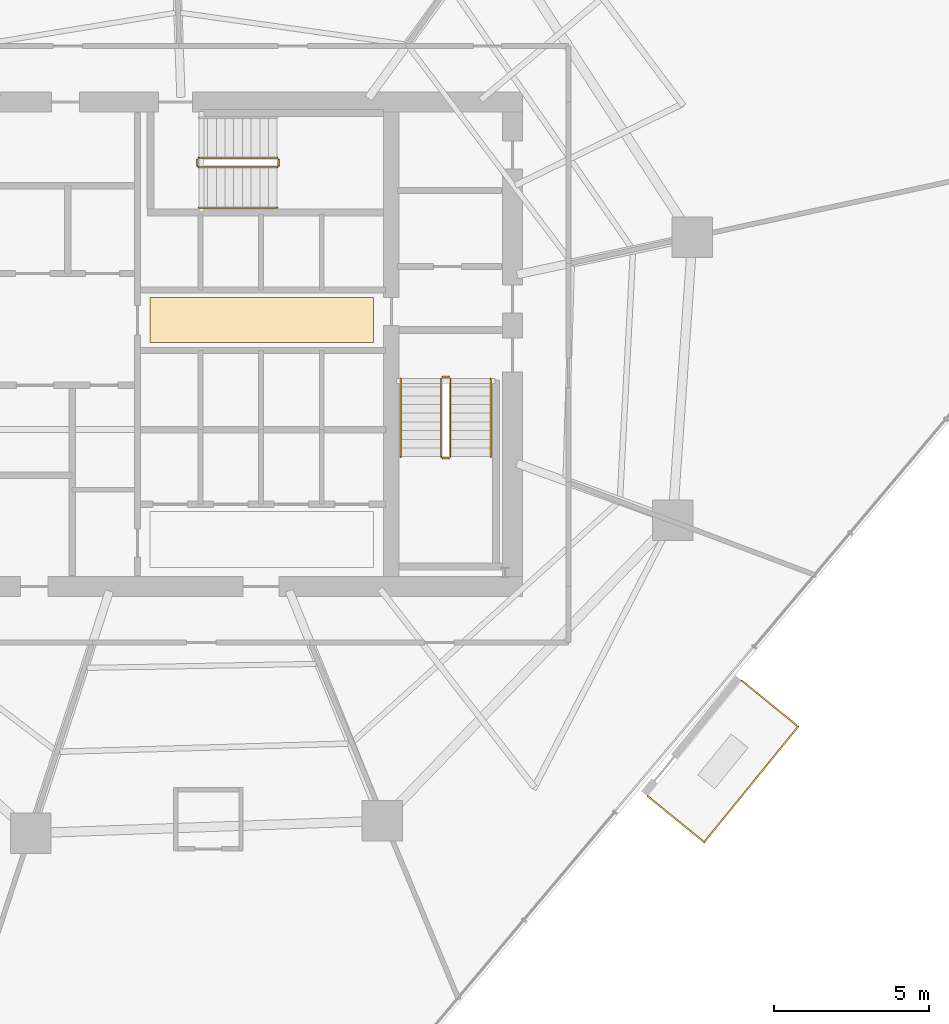
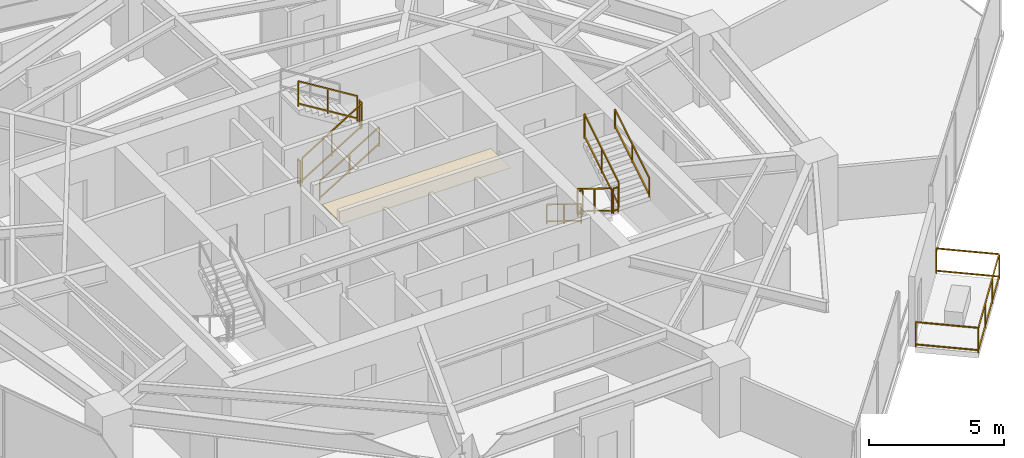
# One storey, part 30 of 31: 12 railings, 1 covering.
"""IFC4 building model written with IfcOpenShell, lengths in metres."""

import ifcopenshell
import ifcopenshell.guid

model = None  # the IFC model being written
_history = None  # IfcOwnerHistory: only IFC2X3 demands one
_inside = {}  # id of a spatial element -> (the spatial element, [elements in it])
_under = {}  # id of a project, library or spatial element -> (it, [spatial elements below it])
_declared = {}  # id of a project -> (the project, [libraries it declares])
_typed = {}  # id of a type object -> (the type object, [elements of that type])
_made_of = {}  # id of a material, layer set ... -> (it, [elements and type objects made of it])


def new_model(schema):
    """Start an empty IFC model of exactly this schema.

    Asked for "IFC4X3", IfcOpenShell would pick the latest addendum, in which some entities
    have other attributes; the version numbers below select the first issue.
    IFC2X3 requires an IfcOwnerHistory on every rooted entity: one is made here for all.
    """
    global model, _history
    if schema == "IFC4X3":
        model = ifcopenshell.file(schema_version=(4, 3, 0, 0))
    else:
        model = ifcopenshell.file(schema=schema)
    _inside.clear()
    _under.clear()
    _declared.clear()
    _typed.clear()
    _made_of.clear()
    _history = None
    if model.schema == "IFC2X3":
        org = make("IfcOrganization", Name="unknown")
        user = make(
            "IfcPersonAndOrganization",
            ThePerson=make("IfcPerson", FamilyName="unknown"),
            TheOrganization=org,
        )
        app = make(
            "IfcApplication",
            ApplicationDeveloper=org,
            Version="unknown",
            ApplicationFullName="unknown",
            ApplicationIdentifier="unknown",
        )
        _history = make(
            "IfcOwnerHistory",
            OwningUser=user,
            OwningApplication=app,
            ChangeAction="ADDED",
            CreationDate=0,
        )
    return model


def make(cls, **values):
    """One entity of the class cls with the attributes given. An attribute that is None is left unset."""
    return model.create_entity(
        cls, **{name: value for name, value in values.items() if value is not None}
    )


def rooted(cls, **values):
    """An entity with a GlobalId (a new one), such as an element, a storey or a relation."""
    return make(cls, GlobalId=ifcopenshell.guid.new(), OwnerHistory=_history, **values)


def si_unit(unit_type, name, prefix=None):
    """IfcSIUnit, for example si_unit("LENGTHUNIT", "METRE", prefix="MILLI")."""
    return make("IfcSIUnit", UnitType=unit_type, Prefix=prefix, Name=name)


def assignment(units):
    """IfcUnitAssignment: the units of a project."""
    return None if units is None else make("IfcUnitAssignment", Units=units)


def point(xyz):
    """IfcCartesianPoint."""
    return None if xyz is None else make("IfcCartesianPoint", Coordinates=xyz)


def direction(xyz):
    """IfcDirection."""
    return None if xyz is None else make("IfcDirection", DirectionRatios=xyz)


def frame(location, z_axis=None, x_axis=None):
    """IfcAxis2Placement3D, a coordinate frame: its origin and axes. An axis left out is left unset."""
    return make(
        "IfcAxis2Placement3D",
        Location=point(location),
        Axis=direction(z_axis),
        RefDirection=direction(x_axis),
    )


def frame_2d(location, x_axis=None):
    """IfcAxis2Placement2D, a coordinate frame in the plane: its origin and x axis."""
    return make(
        "IfcAxis2Placement2D", Location=point(location), RefDirection=direction(x_axis)
    )


def origin():
    """The frame at (0, 0, 0) with its axes left unset."""
    return frame((0.0, 0.0, 0.0))


def origin_2d():
    """The frame at (0, 0) in the plane with its x axis left unset."""
    return frame_2d((0.0, 0.0))


def place(relative_to, where):
    """IfcLocalPlacement: puts the frame where relative to a parent placement (None: the world)."""
    return make(
        "IfcLocalPlacement", PlacementRelTo=relative_to, RelativePlacement=where
    )


def context(
    kind, dimensions, precision=None, world=None, true_north=None, identifier=None
):
    """IfcGeometricRepresentationContext, for example the 3D "Model" context."""
    return make(
        "IfcGeometricRepresentationContext",
        ContextIdentifier=identifier,
        ContextType=kind,
        CoordinateSpaceDimension=dimensions,
        Precision=precision,
        WorldCoordinateSystem=world,
        TrueNorth=true_north,
    )


def subcontext(parent, identifier, kind, view, scale=None):
    """IfcGeometricRepresentationSubContext, for example "Body" below "Model"."""
    return make(
        "IfcGeometricRepresentationSubContext",
        ContextIdentifier=identifier,
        ContextType=kind,
        ParentContext=parent,
        TargetScale=scale,
        TargetView=view,
    )


def project(units=None, contexts=None):
    """IfcProject with its units and contexts."""
    return rooted(
        "IfcProject",
        Name="project",
        RepresentationContexts=contexts,
        UnitsInContext=assignment(units),
    )


def spatial(cls, under=None, at=None, **own):
    """A site, building, storey or space (cls), placed at a placement, below another one or the project."""
    s = rooted(cls, ObjectPlacement=at, **own)
    if under is not None:
        _under.setdefault(under.id(), (under, []))[1].append(s)
    return s


def profile(cls, at=None, kind="AREA", **sizes):
    """A parametric profile (cls). Its sizes go by their IFC names, for example OverallWidth=200.0."""
    return make(cls, ProfileType=kind, Position=at, **sizes)


def rectangle(**sizes):
    """IfcRectangleProfileDef."""
    return profile("IfcRectangleProfileDef", **sizes)


def extrude(swept, where, along, depth):
    """IfcExtrudedAreaSolid: the profile swept, set in the frame where, extruded along a direction by depth."""
    return make(
        "IfcExtrudedAreaSolid",
        SweptArea=swept,
        Position=where,
        ExtrudedDirection=direction(along),
        Depth=depth,
    )


def shape(context_of_items, identifier, shape_type, items):
    """IfcShapeRepresentation: the items that make up one representation, for example the "Body"."""
    return make(
        "IfcShapeRepresentation",
        ContextOfItems=context_of_items,
        RepresentationIdentifier=identifier,
        RepresentationType=shape_type,
        Items=items,
    )


def material(Name=None, Category=None):
    """IfcMaterial."""
    return make("IfcMaterial", Name=Name, Category=Category)


def layer(
    of_material, thickness, ventilated=None, Name=None, Category=None, Priority=None
):
    """IfcMaterialLayer: one layer of a wall or slab, of a material (None: an air gap)."""
    return make(
        "IfcMaterialLayer",
        Material=of_material,
        LayerThickness=thickness,
        IsVentilated=ventilated,
        Name=Name,
        Category=Category,
        Priority=Priority,
    )


def layer_set(layers, Name=None):
    """IfcMaterialLayerSet."""
    return make("IfcMaterialLayerSet", MaterialLayers=layers, LayerSetName=Name)


def made_of(thing, what):
    """Note that an element or type object is made of a material, layer set ...; save() writes the relation."""
    if what is not None:
        _made_of.setdefault(what.id(), (what, []))[1].append(thing)
    return thing


def type_object(cls, material=None, **own):
    """A type object (cls), such as IfcWallType, which elements share."""
    return made_of(rooted(cls, **own), material)


def element(
    cls,
    number,
    at=None,
    inside=None,
    cuts=None,
    type_object=None,
    material=None,
    context=None,
    identifier="Body",
    shape_type=None,
    held_by="IfcProductDefinitionShape",
    body=None,
    shapes=None,
    **own,
):
    """One element of the class cls, such as IfcWall. Its Tag is "e" and its number.

    at: its placement. inside: the storey or other place that contains it. cuts: it is an
    opening in that element (IfcRelVoidsElement). A single representation is given by context,
    identifier, shape_type and body (its items); several are given by shapes. held_by: the class
    of the entity that holds the representations. save() writes the other relations.
    """
    e = rooted(cls, Tag="e%d" % number, ObjectPlacement=at, **own)
    if body is not None:
        shapes = [shape(context, identifier, shape_type, body)]
    if shapes is not None:
        e.Representation = make(held_by, Representations=shapes)
    if inside is not None:
        _inside.setdefault(inside.id(), (inside, []))[1].append(e)
    if cuts is not None:
        rooted(
            "IfcRelVoidsElement", RelatingBuildingElement=cuts, RelatedOpeningElement=e
        )
    if type_object is not None:
        _typed.setdefault(type_object.id(), (type_object, []))[1].append(e)
    return made_of(e, material)


def aggregate(whole, parts):
    """IfcRelAggregates: a whole, such as a stair, and the parts it consists of."""
    return rooted("IfcRelAggregates", RelatingObject=whole, RelatedObjects=parts)


def save(model, path):
    """Write the relations noted so far, then the file.

    IfcRelAggregates (storeys below a building ...), IfcRelContainedInSpatialStructure (elements
    in a storey), IfcRelDefinesByType, IfcRelAssociatesMaterial and IfcRelDeclares: one each for
    every whole, place, type object, material and project.
    """
    for whole, parts in _under.values():
        aggregate(whole, parts)
    for where, things in _inside.values():
        rooted(
            "IfcRelContainedInSpatialStructure",
            RelatedElements=things,
            RelatingStructure=where,
        )
    for kind, things in _typed.values():
        rooted("IfcRelDefinesByType", RelatedObjects=things, RelatingType=kind)
    for what, things in _made_of.values():
        rooted("IfcRelAssociatesMaterial", RelatedObjects=things, RelatingMaterial=what)
    for by, libraries in _declared.values():
        rooted("IfcRelDeclares", RelatingContext=by, RelatedDefinitions=libraries)
    model.write(path)


model = new_model("IFC4")

# Units and contexts
model_context = context("Model", 3, precision=1e-05, world=origin(), true_north=direction((0.0, 1.0)))
body_context = subcontext(model_context, "Body", "Model", "MODEL_VIEW")
ifc_project = project(units=[si_unit("LENGTHUNIT", "METRE"), si_unit("AREAUNIT", "SQUARE_METRE"), si_unit("VOLUMEUNIT", "CUBIC_METRE"), si_unit("PLANEANGLEUNIT", "RADIAN"), si_unit("MASSUNIT", "GRAM", prefix="KILO")], contexts=[model_context])

# Site, building, storey
site_placement = place(None, origin())
site = spatial("IfcSite", under=ifc_project, at=site_placement, CompositionType="ELEMENT")
building_placement = place(site_placement, origin())
building = spatial("IfcBuilding", under=site, at=building_placement, Name="Qarnah Convention Tower", CompositionType="ELEMENT")
storey_placement = place(building_placement, frame((0.0, 0.0, 33.89990234375)))
storey = spatial("IfcBuildingStorey", under=building, at=storey_placement, Name="L07", CompositionType="ELEMENT", Elevation=33.89990234375)

# Covering
ifc_material_1 = material(Name="Mineral fibre acoustic ceiling")
ifc_layer = layer(ifc_material_1, 0.02001953125)
ifc_layer_set = layer_set([ifc_layer], Name="Mineral fibre acoustic ceiling")
covering_type = type_object("IfcCoveringType", Name="COV-CEIL-20", PredefinedType="CEILING", material=ifc_layer_set)
covering_placement = place(storey_placement, frame((39.52001953125, 27.179931640625, 2.2900390625), z_axis=(0.0, 0.0, 1.0), x_axis=(1.0, 0.0, 0.0)))
element("IfcCovering", 1, at=covering_placement, inside=storey, type_object=covering_type, Name="L07 lift lobby acoustic ceiling", PredefinedType="CEILING", context=body_context, shape_type="SweptSolid", body=[
    extrude(rectangle(XDim=7.199951171875, YDim=1.449951171875, at=origin_2d()), origin(), (0.0, 0.0, 1.0), 0.02001953125),
])

# Railings
ifc_material_2 = material(Name="Black anodised aluminium", Category="aluminium")
railing_type_1 = type_object("IfcRailingType", Name="RL-EXT-GUARD-1150", PredefinedType="GUARDRAIL", material=ifc_material_2)
railing_1_placement = place(storey_placement, frame((54.97412109375, 15.575927734375, 0.0)))
element("IfcRailing", 2, at=railing_1_placement, inside=storey, type_object=railing_type_1, Name="L07 balcony safety guard VN-L07", PredefinedType="GUARDRAIL", context=body_context, shape_type="SweptSolid", body=[
    extrude(rectangle(XDim=0.048095703125, YDim=0.048095703125, at=origin_2d()), frame((0.0, 0.0, 1.1259765625), z_axis=(0.775754777775, -0.631034487773, 0.0), x_axis=(0.631034487773, 0.775754777775, 0.0)), (0.0, 0.0, 1.0), 2.349853515625),
    extrude(rectangle(XDim=0.048095703125, YDim=0.048095703125, at=origin_2d()), frame((0.0, 0.0, 0.1201171875), z_axis=(0.775754777775, -0.631034487773, 0.0), x_axis=(0.631034487773, 0.775754777775, 0.0)), (0.0, 0.0, 1.0), 2.349853515625),
    extrude(rectangle(XDim=0.048095703125, YDim=0.048095703125, at=origin_2d()), frame((1.822998046875, -1.48291015625, 1.1259765625), z_axis=(-0.630994617462, -0.775787208411, 0.0), x_axis=(0.775787208411, -0.630994617462, 0.0)), (0.0, 0.0, 1.0), 4.800537109375),
    extrude(rectangle(XDim=0.048095703125, YDim=0.048095703125, at=origin_2d()), frame((1.822998046875, -1.48291015625, 0.1201171875), z_axis=(-0.630994617462, -0.775787208411, 0.0), x_axis=(0.775787208411, -0.630994617462, 0.0)), (0.0, 0.0, 1.0), 4.800537109375),
    extrude(rectangle(XDim=0.048095703125, YDim=0.048095703125, at=origin_2d()), frame((-1.2060546875, -5.20703125, 1.1259765625), z_axis=(-0.77570392099, 0.631097002814, 0.0), x_axis=(-0.631097002814, -0.77570392099, 0.0)), (0.0, 0.0, 1.0), 2.35009765625),
    extrude(rectangle(XDim=0.048095703125, YDim=0.048095703125, at=origin_2d()), frame((-1.2060546875, -5.20703125, 0.1201171875), z_axis=(-0.77570392099, 0.631097002814, 0.0), x_axis=(-0.631097002814, -0.77570392099, 0.0)), (0.0, 0.0, 1.0), 2.35009765625),
    extrude(rectangle(XDim=0.0419921875, YDim=0.0419921875, at=origin_2d()), origin(), (0.0, 0.0, 1.0), 1.101806640625),
    extrude(rectangle(XDim=0.0419921875, YDim=0.0419921875, at=origin_2d()), frame((1.822998046875, -1.48291015625, 0.0)), (0.0, 0.0, 1.0), 1.101806640625),
    extrude(rectangle(XDim=0.0419921875, YDim=0.0419921875, at=origin_2d()), frame((0.813232421875, -2.724365234375, 0.0)), (0.0, 0.0, 1.0), 1.101806640625),
    extrude(rectangle(XDim=0.0419921875, YDim=0.0419921875, at=origin_2d()), frame((-0.1962890625, -3.965576171875, 0.0)), (0.0, 0.0, 1.0), 1.101806640625),
    extrude(rectangle(XDim=0.0419921875, YDim=0.0419921875, at=origin_2d()), frame((-1.2060546875, -5.20703125, 0.0)), (0.0, 0.0, 1.0), 1.101806640625),
    extrude(rectangle(XDim=0.0419921875, YDim=0.0419921875, at=origin_2d()), frame((-3.029052734375, -3.723876953125, 0.0)), (0.0, 0.0, 1.0), 1.101806640625),
])
ifc_material_3 = material(Name="Structural steel S355JR", Category="steel")
railing_type_2 = type_object("IfcRailingType", Name="RL-STAIR-GUARD-1150", PredefinedType="GUARDRAIL", material=ifc_material_3)
railing_2_placement = place(storey_placement, frame((45.300048828125, 25.300048828125, 0.172607421875)))
element("IfcRailing", 3, at=railing_2_placement, inside=storey, type_object=railing_type_2, Name="L07 ST-2 stair guard 1", PredefinedType="GUARDRAIL", context=body_context, shape_type="SweptSolid", body=[
    extrude(rectangle(XDim=0.048095703125, YDim=0.048095703125, at=origin_2d()), frame((0.0, 0.0, 1.1259765625), z_axis=(0.0, -0.851400495292, 0.524516154772), x_axis=(1.0, 0.0, 0.0)), (0.0, 0.0, 1.0), 2.9599609375),
    extrude(rectangle(XDim=0.048095703125, YDim=0.048095703125, at=origin_2d()), frame((0.0, 0.0, 0.1201171875), z_axis=(0.0, -0.851400495292, 0.524516154772), x_axis=(1.0, 0.0, 0.0)), (0.0, 0.0, 1.0), 2.9599609375),
    extrude(rectangle(XDim=0.0419921875, YDim=0.0419921875, at=origin_2d()), origin(), (0.0, 0.0, 1.0), 1.101806640625),
    extrude(rectangle(XDim=0.0419921875, YDim=0.0419921875, at=origin_2d()), frame((0.0, -1.260009765625, 0.7763671875)), (0.0, 0.0, 1.0), 1.101806640625),
    extrude(rectangle(XDim=0.0419921875, YDim=0.0419921875, at=origin_2d()), frame((0.0, -2.52001953125, 1.552490234375)), (0.0, 0.0, 1.0), 1.101806640625),
])
railing_3_placement = place(storey_placement, frame((45.35009765625, 22.72998046875, 1.72509765625)))
element("IfcRailing", 4, at=railing_3_placement, inside=storey, type_object=railing_type_2, Name="L07 ST-2 stair guard 2", PredefinedType="GUARDRAIL", context=body_context, shape_type="SweptSolid", body=[
    extrude(rectangle(XDim=0.048095703125, YDim=0.048095703125, at=origin_2d()), frame((0.0, 0.0, 1.1259765625), z_axis=(1.0, 0.0, 0.0), x_axis=(0.0, 1.0, 0.0)), (0.0, 0.0, 1.0), 0.199951171875),
    extrude(rectangle(XDim=0.048095703125, YDim=0.048095703125, at=origin_2d()), frame((0.0, 0.0, 0.1201171875), z_axis=(1.0, 0.0, 0.0), x_axis=(0.0, 1.0, 0.0)), (0.0, 0.0, 1.0), 0.199951171875),
    extrude(rectangle(XDim=0.0419921875, YDim=0.0419921875, at=origin_2d()), origin(), (0.0, 0.0, 1.0), 1.101806640625),
    extrude(rectangle(XDim=0.0419921875, YDim=0.0419921875, at=origin_2d()), frame((0.199951171875, 0.0, 0.0)), (0.0, 0.0, 1.0), 1.101806640625),
])
railing_4_placement = place(storey_placement, frame((45.60009765625, 22.780029296875, 1.897705078125)))
element("IfcRailing", 5, at=railing_4_placement, inside=storey, type_object=railing_type_2, Name="L07 ST-2 stair guard 3", PredefinedType="GUARDRAIL", context=body_context, shape_type="SweptSolid", body=[
    extrude(rectangle(XDim=0.048095703125, YDim=0.048095703125, at=origin_2d()), frame((0.0, 0.0, 1.1259765625), z_axis=(0.0, 0.851400495292, 0.524516154772), x_axis=(-1.0, 0.0, 0.0)), (0.0, 0.0, 1.0), 2.9599609375),
    extrude(rectangle(XDim=0.048095703125, YDim=0.048095703125, at=origin_2d()), frame((0.0, 0.0, 0.1201171875), z_axis=(0.0, 0.851400495292, 0.524516154772), x_axis=(-1.0, 0.0, 0.0)), (0.0, 0.0, 1.0), 2.9599609375),
    extrude(rectangle(XDim=0.0419921875, YDim=0.0419921875, at=origin_2d()), origin(), (0.0, 0.0, 1.0), 1.101806640625),
    extrude(rectangle(XDim=0.0419921875, YDim=0.0419921875, at=origin_2d()), frame((0.0, 1.260009765625, 0.7763671875)), (0.0, 0.0, 1.0), 1.101806640625),
    extrude(rectangle(XDim=0.0419921875, YDim=0.0419921875, at=origin_2d()), frame((0.0, 2.52001953125, 1.552490234375)), (0.0, 0.0, 1.0), 1.101806640625),
])
railing_5_placement = place(storey_placement, frame((45.35009765625, 25.35009765625, 0.0)))
element("IfcRailing", 6, at=railing_5_placement, inside=storey, type_object=railing_type_2, Name="L07 ST-2 stair guard 4", PredefinedType="GUARDRAIL", context=body_context, shape_type="SweptSolid", body=[
    extrude(rectangle(XDim=0.048095703125, YDim=0.048095703125, at=origin_2d()), frame((0.0, 0.0, 1.1259765625), z_axis=(1.0, 0.0, 0.0), x_axis=(0.0, 1.0, 0.0)), (0.0, 0.0, 1.0), 0.199951171875),
    extrude(rectangle(XDim=0.048095703125, YDim=0.048095703125, at=origin_2d()), frame((0.0, 0.0, 0.1201171875), z_axis=(1.0, 0.0, 0.0), x_axis=(0.0, 1.0, 0.0)), (0.0, 0.0, 1.0), 0.199951171875),
    extrude(rectangle(XDim=0.0419921875, YDim=0.0419921875, at=origin_2d()), origin(), (0.0, 0.0, 1.0), 1.101806640625),
    extrude(rectangle(XDim=0.0419921875, YDim=0.0419921875, at=origin_2d()), frame((0.199951171875, 0.0, 0.0)), (0.0, 0.0, 1.0), 1.101806640625),
])
railing_6_placement = place(storey_placement, frame((37.5, 32.10009765625, 0.172607421875)))
element("IfcRailing", 7, at=railing_6_placement, inside=storey, type_object=railing_type_2, Name="L07 ST-3 stair guard 1", PredefinedType="GUARDRAIL", context=body_context, shape_type="SweptSolid", body=[
    extrude(rectangle(XDim=0.048095703125, YDim=0.048095703125, at=origin_2d()), frame((0.0, 0.0, 1.1259765625), z_axis=(0.851400495292, 0.0, 0.524516154772), x_axis=(0.0, 1.0, 0.0)), (0.0, 0.0, 1.0), 2.9599609375),
    extrude(rectangle(XDim=0.048095703125, YDim=0.048095703125, at=origin_2d()), frame((0.0, 0.0, 0.1201171875), z_axis=(0.851400495292, 0.0, 0.524516154772), x_axis=(0.0, 1.0, 0.0)), (0.0, 0.0, 1.0), 2.9599609375),
    extrude(rectangle(XDim=0.0419921875, YDim=0.0419921875, at=origin_2d()), origin(), (0.0, 0.0, 1.0), 1.101806640625),
    extrude(rectangle(XDim=0.0419921875, YDim=0.0419921875, at=origin_2d()), frame((1.260009765625, 0.0, 0.7763671875)), (0.0, 0.0, 1.0), 1.101806640625),
    extrude(rectangle(XDim=0.0419921875, YDim=0.0419921875, at=origin_2d()), frame((2.52001953125, 0.0, 1.552490234375)), (0.0, 0.0, 1.0), 1.101806640625),
])
railing_7_placement = place(storey_placement, frame((40.070068359375, 32.14990234375, 1.72509765625)))
element("IfcRailing", 8, at=railing_7_placement, inside=storey, type_object=railing_type_2, Name="L07 ST-3 stair guard 2", PredefinedType="GUARDRAIL", context=body_context, shape_type="SweptSolid", body=[
    extrude(rectangle(XDim=0.048095703125, YDim=0.048095703125, at=origin_2d()), frame((0.0, 0.0, 1.1259765625), z_axis=(0.0, 1.0, 0.0), x_axis=(-1.0, 0.0, 0.0)), (0.0, 0.0, 1.0), 0.2001953125),
    extrude(rectangle(XDim=0.048095703125, YDim=0.048095703125, at=origin_2d()), frame((0.0, 0.0, 0.1201171875), z_axis=(0.0, 1.0, 0.0), x_axis=(-1.0, 0.0, 0.0)), (0.0, 0.0, 1.0), 0.2001953125),
    extrude(rectangle(XDim=0.0419921875, YDim=0.0419921875, at=origin_2d()), origin(), (0.0, 0.0, 1.0), 1.101806640625),
    extrude(rectangle(XDim=0.0419921875, YDim=0.0419921875, at=origin_2d()), frame((0.0, 0.2001953125, 0.0)), (0.0, 0.0, 1.0), 1.101806640625),
])
railing_8_placement = place(storey_placement, frame((40.02001953125, 32.39990234375, 1.897705078125)))
element("IfcRailing", 9, at=railing_8_placement, inside=storey, type_object=railing_type_2, Name="L07 ST-3 stair guard 3", PredefinedType="GUARDRAIL", context=body_context, shape_type="SweptSolid", body=[
    extrude(rectangle(XDim=0.048095703125, YDim=0.048095703125, at=origin_2d()), frame((0.0, 0.0, 1.1259765625), z_axis=(-0.851400495292, 0.0, 0.524516154772), x_axis=(0.0, -1.0, 0.0)), (0.0, 0.0, 1.0), 2.9599609375),
    extrude(rectangle(XDim=0.048095703125, YDim=0.048095703125, at=origin_2d()), frame((0.0, 0.0, 0.1201171875), z_axis=(-0.851400495292, 0.0, 0.524516154772), x_axis=(0.0, -1.0, 0.0)), (0.0, 0.0, 1.0), 2.9599609375),
    extrude(rectangle(XDim=0.0419921875, YDim=0.0419921875, at=origin_2d()), origin(), (0.0, 0.0, 1.0), 1.101806640625),
    extrude(rectangle(XDim=0.0419921875, YDim=0.0419921875, at=origin_2d()), frame((-1.260009765625, 0.0, 0.7763671875)), (0.0, 0.0, 1.0), 1.101806640625),
    extrude(rectangle(XDim=0.0419921875, YDim=0.0419921875, at=origin_2d()), frame((-2.52001953125, 0.0, 1.552490234375)), (0.0, 0.0, 1.0), 1.101806640625),
])
railing_9_placement = place(storey_placement, frame((37.449951171875, 32.14990234375, 0.0)))
element("IfcRailing", 10, at=railing_9_placement, inside=storey, type_object=railing_type_2, Name="L07 ST-3 stair guard 4", PredefinedType="GUARDRAIL", context=body_context, shape_type="SweptSolid", body=[
    extrude(rectangle(XDim=0.048095703125, YDim=0.048095703125, at=origin_2d()), frame((0.0, 0.0, 1.1259765625), z_axis=(0.0, 1.0, 0.0), x_axis=(-1.0, 0.0, 0.0)), (0.0, 0.0, 1.0), 0.2001953125),
    extrude(rectangle(XDim=0.048095703125, YDim=0.048095703125, at=origin_2d()), frame((0.0, 0.0, 0.1201171875), z_axis=(0.0, 1.0, 0.0), x_axis=(-1.0, 0.0, 0.0)), (0.0, 0.0, 1.0), 0.2001953125),
    extrude(rectangle(XDim=0.0419921875, YDim=0.0419921875, at=origin_2d()), origin(), (0.0, 0.0, 1.0), 1.101806640625),
    extrude(rectangle(XDim=0.0419921875, YDim=0.0419921875, at=origin_2d()), frame((0.0, 0.2001953125, 0.0)), (0.0, 0.0, 1.0), 1.101806640625),
])
railing_type_3 = type_object("IfcRailingType", Name="RL-STAIR-HAND-900", PredefinedType="HANDRAIL", material=ifc_material_3)
railing_10_placement = place(storey_placement, frame((44.0, 25.300048828125, 0.172607421875)))
element("IfcRailing", 11, at=railing_10_placement, inside=storey, type_object=railing_type_3, Name="L07 ST-2 stair handrail 1", PredefinedType="HANDRAIL", context=body_context, shape_type="SweptSolid", body=[
    extrude(rectangle(XDim=0.048095703125, YDim=0.048095703125, at=origin_2d()), frame((0.0, 0.0, 0.8759765625), z_axis=(0.0, -0.851400495292, 0.524516154772), x_axis=(1.0, 0.0, 0.0)), (0.0, 0.0, 1.0), 2.9599609375),
    extrude(rectangle(XDim=0.048095703125, YDim=0.048095703125, at=origin_2d()), frame((0.0, 0.0, 0.1201171875), z_axis=(0.0, -0.851400495292, 0.524516154772), x_axis=(1.0, 0.0, 0.0)), (0.0, 0.0, 1.0), 2.9599609375),
    extrude(rectangle(XDim=0.0419921875, YDim=0.0419921875, at=origin_2d()), origin(), (0.0, 0.0, 1.0), 0.851806640625),
    extrude(rectangle(XDim=0.0419921875, YDim=0.0419921875, at=origin_2d()), frame((0.0, -1.260009765625, 0.7763671875)), (0.0, 0.0, 1.0), 0.851806640625),
    extrude(rectangle(XDim=0.0419921875, YDim=0.0419921875, at=origin_2d()), frame((0.0, -2.52001953125, 1.552490234375)), (0.0, 0.0, 1.0), 0.851806640625),
])
railing_11_placement = place(storey_placement, frame((46.89990234375, 22.780029296875, 1.897705078125)))
element("IfcRailing", 12, at=railing_11_placement, inside=storey, type_object=railing_type_3, Name="L07 ST-2 stair handrail 2", PredefinedType="HANDRAIL", context=body_context, shape_type="SweptSolid", body=[
    extrude(rectangle(XDim=0.048095703125, YDim=0.048095703125, at=origin_2d()), frame((0.0, 0.0, 0.8759765625), z_axis=(0.0, 0.851400495292, 0.524516154772), x_axis=(-1.0, 0.0, 0.0)), (0.0, 0.0, 1.0), 2.9599609375),
    extrude(rectangle(XDim=0.048095703125, YDim=0.048095703125, at=origin_2d()), frame((0.0, 0.0, 0.1201171875), z_axis=(0.0, 0.851400495292, 0.524516154772), x_axis=(-1.0, 0.0, 0.0)), (0.0, 0.0, 1.0), 2.9599609375),
    extrude(rectangle(XDim=0.0419921875, YDim=0.0419921875, at=origin_2d()), origin(), (0.0, 0.0, 1.0), 0.851806640625),
    extrude(rectangle(XDim=0.0419921875, YDim=0.0419921875, at=origin_2d()), frame((0.0, 1.260009765625, 0.7763671875)), (0.0, 0.0, 1.0), 0.851806640625),
    extrude(rectangle(XDim=0.0419921875, YDim=0.0419921875, at=origin_2d()), frame((0.0, 2.52001953125, 1.552490234375)), (0.0, 0.0, 1.0), 0.851806640625),
])
railing_12_placement = place(storey_placement, frame((37.5, 30.800048828125, 0.172607421875)))
element("IfcRailing", 13, at=railing_12_placement, inside=storey, type_object=railing_type_3, Name="L07 ST-3 stair handrail 1", PredefinedType="HANDRAIL", context=body_context, shape_type="SweptSolid", body=[
    extrude(rectangle(XDim=0.048095703125, YDim=0.048095703125, at=origin_2d()), frame((0.0, 0.0, 0.8759765625), z_axis=(0.851400495292, 0.0, 0.524516154772), x_axis=(0.0, 1.0, 0.0)), (0.0, 0.0, 1.0), 2.9599609375),
    extrude(rectangle(XDim=0.048095703125, YDim=0.048095703125, at=origin_2d()), frame((0.0, 0.0, 0.1201171875), z_axis=(0.851400495292, 0.0, 0.524516154772), x_axis=(0.0, 1.0, 0.0)), (0.0, 0.0, 1.0), 2.9599609375),
    extrude(rectangle(XDim=0.0419921875, YDim=0.0419921875, at=origin_2d()), origin(), (0.0, 0.0, 1.0), 0.851806640625),
    extrude(rectangle(XDim=0.0419921875, YDim=0.0419921875, at=origin_2d()), frame((1.260009765625, 0.0, 0.7763671875)), (0.0, 0.0, 1.0), 0.851806640625),
    extrude(rectangle(XDim=0.0419921875, YDim=0.0419921875, at=origin_2d()), frame((2.52001953125, 0.0, 1.552490234375)), (0.0, 0.0, 1.0), 0.851806640625),
])

save(model, "model.ifc")
